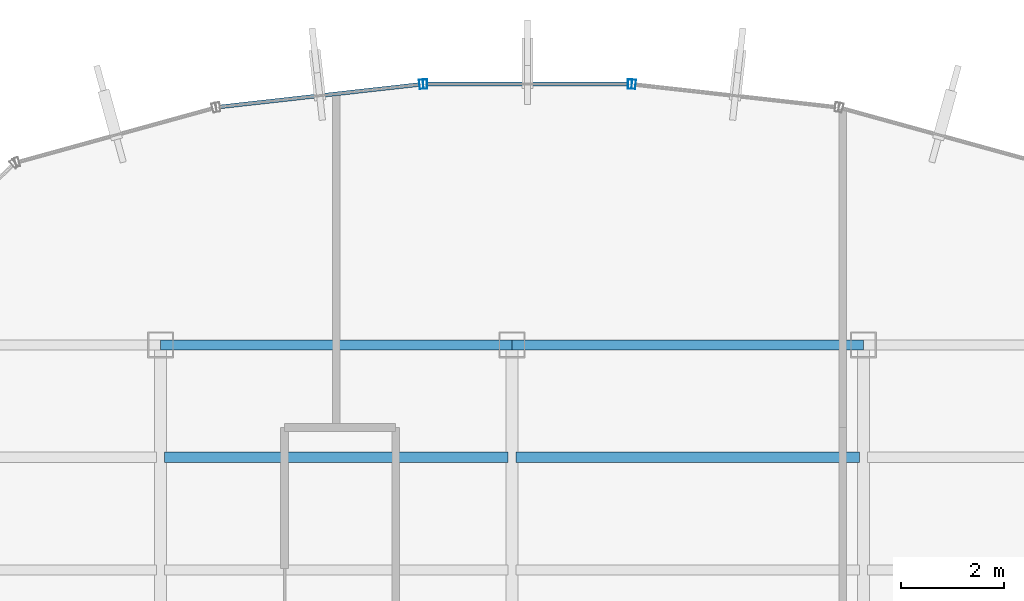
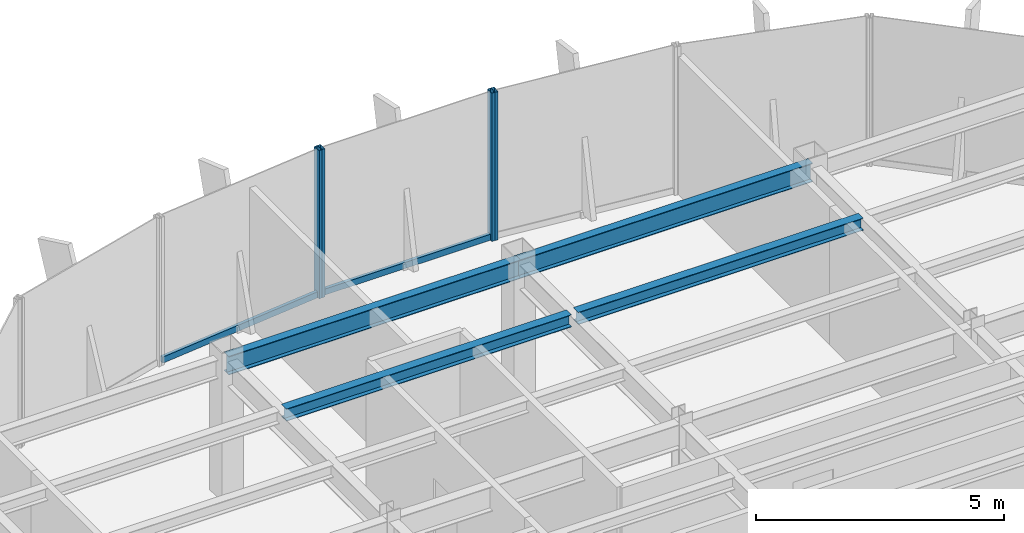
# One storey, part 13 of 22: 6 members, 4 beams, 3 elements without a shape of their own.
"""IFC4 building model written with IfcOpenShell, lengths in metres."""

from ifc_helpers import new_model, si_unit, derived_unit, direction, frame, origin, origin_2d, place, context, subcontext, project, spatial, hollow_rectangle, i_section, extrude, source, transform, mapped, material, material_profile, profile_set, type_object, element, aggregate, save


model = new_model("IFC4")

# Units and contexts
model_context = context("Model", 3, precision=1e-05, world=origin(), true_north=direction((0.0, 1.0)))
body_context = subcontext(model_context, "Body", "Model", "MODEL_VIEW")
ifc_project = project(units=[si_unit("LENGTHUNIT", "METRE"), si_unit("AREAUNIT", "SQUARE_METRE"), si_unit("VOLUMEUNIT", "CUBIC_METRE"), si_unit("PLANEANGLEUNIT", "RADIAN"), si_unit("MASSUNIT", "GRAM", prefix="KILO"), derived_unit("THERMALTRANSMITTANCEUNIT", [(si_unit("POWERUNIT", "WATT"), 1), (si_unit("LENGTHUNIT", "METRE"), -2), (si_unit("THERMODYNAMICTEMPERATUREUNIT", "KELVIN"), -1)])], contexts=[model_context])

# Site, building, storey
site_placement = place(None, origin())
site = spatial("IfcSite", under=ifc_project, at=site_placement, CompositionType="ELEMENT")
building_placement = place(site_placement, origin())
building = spatial("IfcBuilding", under=site, at=building_placement, Name="Skarnbrae Concourse Arena and Tower", CompositionType="ELEMENT")
storey_placement = place(building_placement, frame((0.0, 0.0, 280.699951171875)))
storey = spatial("IfcBuildingStorey", under=building, at=storey_placement, Name="L73", CompositionType="ELEMENT", Elevation=280.699951171875)

# Beams
ifc_material_1 = material(Name="Steel CSA G40.21 350W", Category="steel")
ifc_material_profile_1 = material_profile(ifc_material_1, i_section(OverallWidth=0.19091796875, OverallDepth=0.4599609375, WebThickness=0.010009765625, FlangeThickness=0.01611328125, at=origin_2d()), Name="W460X82")
ifc_profile_set_1 = profile_set([ifc_material_profile_1], Name="Steel CSA G40.21 350W")
beam_type_1 = type_object("IfcBeamType", Name="BM-SPAN-W460X82", PredefinedType="SPANDREL", material=ifc_profile_set_1)
shared_shape_1 = source(origin(), body_context, "Body", "SweptSolid", [
    extrude(i_section(OverallWidth=0.19091796875, OverallDepth=0.4599609375, WebThickness=0.010009765625, FlangeThickness=0.01611328125, at=origin_2d()), origin(), (0.0, 0.0, 1.0), 6.800048828125),
])
for number, where, z_axis, x_axis, name in (
    (1, (14.39990234375, 34.39990234375, 3.170166015625), (1.0, 0.0, 0.0), (0.0, 1.0, 0.0), "L73 Perimeter spandrel Y34.4-2"),
    (2, (21.199951171875, 34.39990234375, 3.170166015625), (1.0, 0.0, 0.0), (0.0, 1.0, 0.0), "L73 Perimeter spandrel Y34.4-3"),
):
    element("IfcBeam", number, at=place(storey_placement, frame(where, z_axis=z_axis, x_axis=x_axis)), inside=storey, type_object=beam_type_1, Name=name, PredefinedType="SPANDREL", context=body_context, shape_type="MappedRepresentation", body=[
        mapped(shared_shape_1, transform((0.0, 0.0, 0.0))),
    ])
ifc_material_profile_2 = material_profile(ifc_material_1, i_section(OverallWidth=0.202880859375, OverallDepth=0.302978515625, WebThickness=0.007568359375, FlangeThickness=0.01318359375, at=origin_2d()), Name="W310X60")
ifc_profile_set_2 = profile_set([ifc_material_profile_2], Name="Steel CSA G40.21 350W")
beam_type_2 = type_object("IfcBeamType", Name="BM-JOIST-W310X60", PredefinedType="JOIST", material=ifc_profile_set_2)
shared_shape_2 = source(origin(), body_context, "Body", "SweptSolid", [
    extrude(i_section(OverallWidth=0.202880859375, OverallDepth=0.302978515625, WebThickness=0.007568359375, FlangeThickness=0.01318359375, at=origin_2d()), origin(), (0.0, 0.0, 1.0), 6.64013671875),
])
beam_1_placement = place(storey_placement, frame((14.47998046875, 32.221923828125, 3.24853515625), z_axis=(1.0, 0.0, 0.0), x_axis=(0.0, 1.0, 0.0)))
element("IfcBeam", 3, at=beam_1_placement, inside=storey, type_object=beam_type_2, Name="L73 Secondary floor joist 3.2.2", PredefinedType="JOIST", context=body_context, shape_type="MappedRepresentation", body=[
    mapped(shared_shape_2, transform((0.0, 0.0, 0.0))),
])
shared_shape_3 = source(origin(), body_context, "Body", "SweptSolid", [
    extrude(i_section(OverallWidth=0.202880859375, OverallDepth=0.302978515625, WebThickness=0.007568359375, FlangeThickness=0.01318359375, at=origin_2d()), origin(), (0.0, 0.0, 1.0), 6.639892578125),
])
beam_2_placement = place(storey_placement, frame((21.280029296875, 32.221923828125, 3.24853515625), z_axis=(1.0, 0.0, 0.0), x_axis=(0.0, 1.0, 0.0)))
element("IfcBeam", 4, at=beam_2_placement, inside=storey, type_object=beam_type_2, Name="L73 Secondary floor joist 3.2.3", PredefinedType="JOIST", context=body_context, shape_type="MappedRepresentation", body=[
    mapped(shared_shape_3, transform((0.0, 0.0, 0.0))),
])

# Curtain wall, member
ifc_material_2 = material(Name="Bronze anodised aluminium 6063-T6", Category="aluminium")
curtain_wall_type = type_object("IfcCurtainWallType", Name="CW-SYS-05-HIGHZONE", PredefinedType="USERDEFINED", material=ifc_material_2)
curtain_wall_1_placement = place(storey_placement, origin())
curtain_wall_1 = element("IfcCurtainWall", 5, at=curtain_wall_1_placement, inside=storey, type_object=curtain_wall_type, Name="L73 Unitised curtain wall CW-L73-E12", ObjectType="UNITISED CURTAIN WALL", PredefinedType="USERDEFINED")
ifc_material_profile_3 = material_profile(ifc_material_2, hollow_rectangle(XDim=0.074951171875, YDim=0.14990234375, WallThickness=0.00390625, at=origin_2d()), Name="ALU-TRAN-75X150")
ifc_profile_set_3 = profile_set([ifc_material_profile_3], Name="Bronze anodised aluminium 6063-T6")
member_type_1 = type_object("IfcMemberType", Name="CWT-CW-05", PredefinedType="USERDEFINED", material=ifc_profile_set_3)
shared_shape_4 = source(origin(), body_context, "Body", "SweptSolid", [
    extrude(hollow_rectangle(XDim=0.074951171875, YDim=0.14990234375, WallThickness=0.00390625, at=origin_2d()), origin(), (0.0, 0.0, 1.0), 3.8837890625),
])
member_1_placement = place(storey_placement, frame((19.408203125, 39.438232421875, 0.074951171875), z_axis=(-0.993776714154, -0.111390495128, 0.0), x_axis=(0.111390495128, -0.993776714154, 0.0)))
member_1 = element("IfcMember", 6, at=member_1_placement, type_object=member_type_1, Name="CW-L73-E12 Transom 1", ObjectType="TRANSOM", PredefinedType="USERDEFINED", context=body_context, shape_type="MappedRepresentation", body=[
    mapped(shared_shape_4, transform((0.0, 0.0, 0.0))),
])

curtain_wall_2_placement = place(storey_placement, origin())
curtain_wall_2 = element("IfcCurtainWall", 7, at=curtain_wall_2_placement, inside=storey, type_object=curtain_wall_type, Name="L73 Unitised curtain wall CW-L73-E11", ObjectType="UNITISED CURTAIN WALL", PredefinedType="USERDEFINED")
shared_shape_5 = source(origin(), body_context, "Body", "SweptSolid", [
    extrude(hollow_rectangle(XDim=0.074951171875, YDim=0.14990234375, WallThickness=0.00390625, at=origin_2d()), origin(), (0.0, 0.0, 1.0), 3.88427734375),
])
member_2_placement = place(storey_placement, frame((23.442138671875, 39.44677734375, 0.074951171875), z_axis=(-1.0, 0.0, 0.0), x_axis=(0.0, -1.0, 0.0)))
member_2 = element("IfcMember", 8, at=member_2_placement, type_object=member_type_1, Name="CW-L73-E11 Transom 1", ObjectType="TRANSOM", PredefinedType="USERDEFINED", context=body_context, shape_type="MappedRepresentation", body=[
    mapped(shared_shape_5, transform((0.0, 0.0, 0.0))),
])

curtain_wall_3_placement = place(storey_placement, origin())
curtain_wall_3 = element("IfcCurtainWall", 9, at=curtain_wall_3_placement, inside=storey, type_object=curtain_wall_type, Name="L73 Unitised curtain wall CW-L73-E10", ObjectType="UNITISED CURTAIN WALL", PredefinedType="USERDEFINED")
ifc_material_profile_4 = material_profile(ifc_material_2, hollow_rectangle(XDim=0.074951171875, YDim=0.179931640625, WallThickness=0.00390625, at=origin_2d()), Name="ALU-MULL-75X180")
ifc_profile_set_4 = profile_set([ifc_material_profile_4], Name="Bronze anodised aluminium 6063-T6")
member_type_2 = type_object("IfcMemberType", Name="CWM-CW-05", PredefinedType="MULLION", material=ifc_profile_set_4)
shared_shape_6 = source(origin(), body_context, "Body", "SweptSolid", [
    extrude(hollow_rectangle(XDim=0.074951171875, YDim=0.179931640625, WallThickness=0.00390625, at=origin_2d()), origin(), (0.0, 0.0, 1.0), 3.650146484375),
])
member_3_placement = place(storey_placement, frame((23.554443359375, 39.4423828125, 0.0), z_axis=(0.0, 0.0, 1.0), x_axis=(-0.993768891873, 0.111460259941, 0.0)))
member_3 = element("IfcMember", 10, at=member_3_placement, type_object=member_type_2, Name="CW-L73-E10 Mullion 2", PredefinedType="MULLION", context=body_context, shape_type="MappedRepresentation", body=[
    mapped(shared_shape_6, transform((0.0, 0.0, 0.0))),
])
aggregate(curtain_wall_3, [member_3])

# Member
member_4_placement = place(storey_placement, frame((23.479736328125, 39.44677734375, 0.0), z_axis=(0.0, 0.0, 1.0), x_axis=(-1.0, 0.0, 0.0)))
member_4 = element("IfcMember", 11, at=member_4_placement, type_object=member_type_2, Name="CW-L73-E11 Mullion 1", PredefinedType="MULLION", context=body_context, shape_type="MappedRepresentation", body=[
    mapped(shared_shape_6, transform((0.0, 0.0, 0.0))),
])

member_5_placement = place(storey_placement, frame((19.520263671875, 39.44677734375, 0.0), z_axis=(0.0, 0.0, 1.0), x_axis=(-1.0, 0.0, 0.0)))
member_5 = element("IfcMember", 12, at=member_5_placement, type_object=member_type_2, Name="CW-L73-E11 Mullion 2", PredefinedType="MULLION", context=body_context, shape_type="MappedRepresentation", body=[
    mapped(shared_shape_6, transform((0.0, 0.0, 0.0))),
])

aggregate(curtain_wall_2, [member_4, member_5, member_2])

member_6_placement = place(storey_placement, frame((19.445556640625, 39.4423828125, 0.0), z_axis=(0.0, 0.0, 1.0), x_axis=(-0.993768891873, -0.111460259941, 0.0)))
member_6 = element("IfcMember", 13, at=member_6_placement, type_object=member_type_2, Name="CW-L73-E12 Mullion 1", PredefinedType="MULLION", context=body_context, shape_type="MappedRepresentation", body=[
    mapped(shared_shape_6, transform((0.0, 0.0, 0.0))),
])

aggregate(curtain_wall_1, [member_6, member_1])

save(model, "model.ifc")
